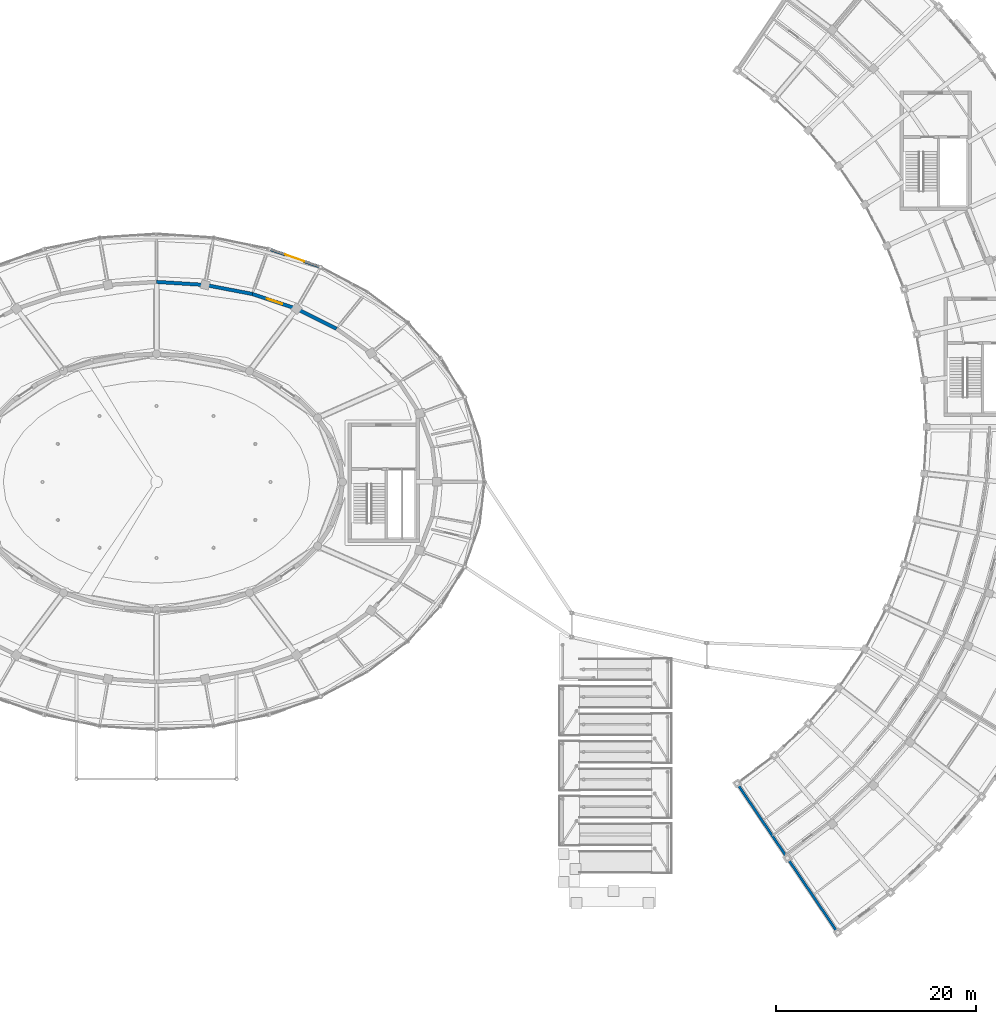
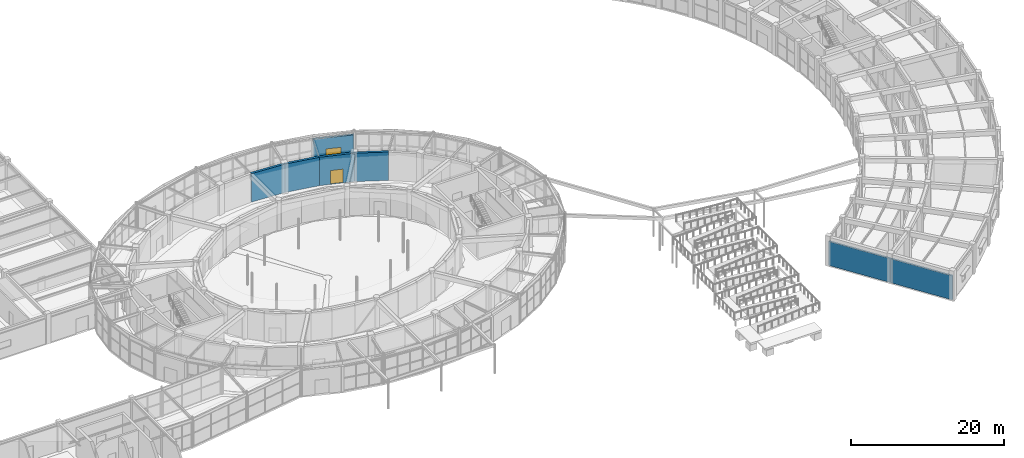
# One storey, part 92 of 108: 7 walls, 2 doors, 2 openings.
"""IFC4 building model written with IfcOpenShell, lengths in metres."""

from ifc_helpers import new_model, si_unit, direction, frame, frame_2d, origin, place, context, subcontext, project, spatial, rectangle, extrude, material, layer, layer_set, type_object, element, fill, save


model = new_model("IFC4")

# Units and contexts
model_context = context("Model", 3, precision=1e-05, world=origin(), true_north=direction((0.0, 1.0)))
body_context = subcontext(model_context, "Body", "Model", "MODEL_VIEW")
ifc_project = project(units=[si_unit("LENGTHUNIT", "METRE"), si_unit("AREAUNIT", "SQUARE_METRE"), si_unit("VOLUMEUNIT", "CUBIC_METRE"), si_unit("PLANEANGLEUNIT", "RADIAN"), si_unit("MASSUNIT", "GRAM", prefix="KILO")], contexts=[model_context])

# Site, building, storey
site_placement = place(None, origin())
site = spatial("IfcSite", under=ifc_project, at=site_placement, CompositionType="ELEMENT")
building_placement = place(site_placement, origin())
building = spatial("IfcBuilding", under=site, at=building_placement, Name="Tarnveldt Headland Concert Hall", CompositionType="ELEMENT")
storey_placement = place(building_placement, origin())
storey = spatial("IfcBuildingStorey", under=building, at=storey_placement, Name="L00", CompositionType="ELEMENT", Elevation=0.0)

# Wall
ifc_material_1 = material(Name="Concrete C40/50", Category="concrete")
ifc_layer_1 = layer(ifc_material_1, 0.35009765625, Name="Concrete C40/50", Category="concrete")
ifc_layer_set_1 = layer_set([ifc_layer_1], Name="Concrete C40/50")
wall_type_1 = type_object("IfcWallType", Name="WL-CR350", PredefinedType="SHEAR", material=ifc_layer_set_1)
wall_1_placement = place(storey_placement, frame((101.498046875, 69.82080078125, 0.0), z_axis=(0.0, 0.0, 1.0), x_axis=(-0.894361644392, 0.447344664705, 0.0)))
element("IfcWall", 1, at=wall_1_placement, inside=storey, type_object=wall_type_1, Name="Symphony drum shear wall L00-6", PredefinedType="SHEAR", context=body_context, shape_type="SweptSolid", body=[
    extrude(rectangle(XDim=4.47021484375, YDim=0.35009765625, at=frame_2d((2.235107421875, 0.0))), origin(), (0.0, 0.0, 1.0), 4.52001953125),
])

# Wall, opening, door
wall_2_placement = place(storey_placement, frame((97.5, 71.820556640625, 0.0), z_axis=(0.0, 0.0, 1.0), x_axis=(-0.948751350732, 0.316023534699, 0.0)))
wall_2 = element("IfcWall", 2, at=wall_2_placement, inside=storey, type_object=wall_type_1, Name="Symphony drum shear wall L00-7", PredefinedType="SHEAR", context=body_context, shape_type="SweptSolid", body=[
    extrude(rectangle(XDim=4.662353515625, YDim=0.35009765625, at=frame_2d((2.3310546875, 0.0))), origin(), (0.0, 0.0, 1.0), 4.52001953125),
])
opening_1_placement = place(wall_2_placement, frame((1.506103515625, 0.0, 0.0)))
opening_1 = element("IfcOpeningElement", 3, at=opening_1_placement, cuts=wall_2, Name="Opening AD-O006", PredefinedType="OPENING", context=body_context, shape_type="SweptSolid", body=[
    extrude(rectangle(XDim=1.64990234375, YDim=2.199951171875, at=frame_2d((0.824951171875, 1.10009765625))), frame((0.0, 0.18505859375, 0.0), z_axis=(0.0, -1.0, 0.0), x_axis=(1.0, 0.0, 0.0)), (0.0, 0.0, 1.0), 0.3701171875),
])
ifc_material_2 = material(Name="Treated East African mvule hardwood", Category="wood")
door_type_1 = type_object("IfcDoorType", Name="DR-AC165", OperationType="NOTDEFINED", PredefinedType="DOOR", material=ifc_material_2)
door_1_placement = place(opening_1_placement, origin())
door_1 = element("IfcDoor", 4, at=door_1_placement, inside=storey, type_object=door_type_1, Name="Drum concourse acoustic door L00-7", OperationType="SINGLE_SWING_RIGHT", OverallHeight=2.199951171875, OverallWidth=1.64990234375, PredefinedType="DOOR", context=body_context, shape_type="SweptSolid", body=[
    extrude(rectangle(XDim=1.64990234375, YDim=2.199951171875, at=frame_2d((0.824951171875, 1.10009765625))), frame((0.0, 0.02490234375, 0.0), z_axis=(0.0, -1.0, 0.0), x_axis=(1.0, 0.0, 0.0)), (0.0, 0.0, 1.0), 0.050048828125),
])
fill(opening_1, door_1)

# Walls
wall_3_placement = place(storey_placement, frame((93.07666015625, 73.2939453125, 0.0), z_axis=(0.0, 0.0, 1.0), x_axis=(-0.982172578083, 0.187981453503, 0.0)))
element("IfcWall", 5, at=wall_3_placement, inside=storey, type_object=wall_type_1, Name="Symphony drum shear wall L00-8", PredefinedType="SHEAR", context=body_context, shape_type="SweptSolid", body=[
    extrude(rectangle(XDim=4.80029296875, YDim=0.35009765625, at=frame_2d((2.400146484375, 0.0))), origin(), (0.0, 0.0, 1.0), 4.52001953125),
])
wall_4_placement = place(storey_placement, frame((88.362060546875, 74.1962890625, 0.0), z_axis=(0.0, 0.0, 1.0), x_axis=(-0.998054722924, 0.06234396562, 0.0)))
element("IfcWall", 6, at=wall_4_placement, inside=storey, type_object=wall_type_1, Name="Symphony drum shear wall L00-9", PredefinedType="SHEAR", context=body_context, shape_type="SweptSolid", body=[
    extrude(rectangle(XDim=4.87158203125, YDim=0.35009765625, at=frame_2d((2.435791015625, 0.0))), origin(), (0.0, 0.0, 1.0), 4.52001953125),
])
ifc_material_3 = material(Name="Coral-toned precast concrete C40/50", Category="concrete")
ifc_layer_2 = layer(ifc_material_3, 0.25, Name="Coral-toned precast concrete C40/50", Category="concrete")
ifc_layer_set_2 = layer_set([ifc_layer_2], Name="Coral-toned precast concrete C40/50")
wall_type_2 = type_object("IfcWallType", Name="WL-EX250", PredefinedType="SOLIDWALL", material=ifc_layer_set_2)
wall_5_placement = place(storey_placement, frame((146.56689453125, 16.906494140625, 0.0), z_axis=(0.0, 0.0, 1.0), x_axis=(-0.559200466777, 0.829032470991, 0.0)))
element("IfcWall", 7, at=wall_5_placement, inside=storey, type_object=wall_type_2, Name="External precast wall L00-107", PredefinedType="SOLIDWALL", context=body_context, shape_type="SweptSolid", body=[
    extrude(rectangle(XDim=8.960205078125, YDim=0.25, at=frame_2d((4.47998046875, 0.0))), origin(), (0.0, 0.0, 1.0), 3.827880859375),
])
wall_6_placement = place(storey_placement, frame((151.599609375, 9.4453125, 0.0), z_axis=(0.0, 0.0, 1.0), x_axis=(-0.559213098812, 0.829023950268, 0.0)))
element("IfcWall", 8, at=wall_6_placement, inside=storey, type_object=wall_type_2, Name="External precast wall L00-108", PredefinedType="SOLIDWALL", context=body_context, shape_type="SweptSolid", body=[
    extrude(rectangle(XDim=8.9599609375, YDim=0.25, at=frame_2d((4.47998046875, 0.0))), origin(), (0.0, 0.0, 1.0), 3.827880859375),
])

# Wall, opening, door
ifc_layer_3 = layer(ifc_material_3, 0.300048828125, Name="Coral-toned precast concrete C40/50", Category="concrete")
ifc_layer_set_3 = layer_set([ifc_layer_3], Name="Coral-toned precast concrete C40/50")
wall_type_3 = type_object("IfcWallType", Name="WL-EX300", PredefinedType="SOLIDWALL", material=ifc_layer_set_3)
wall_7_placement = place(storey_placement, frame((94.7373046875, 77.797607421875, 0.0), z_axis=(0.0, 0.0, 1.0), x_axis=(0.943104319689, -0.332496980713, 0.0)))
wall_7 = element("IfcWall", 9, at=wall_7_placement, inside=storey, type_object=wall_type_3, Name="External precast wall L00-38", PredefinedType="SOLIDWALL", context=body_context, shape_type="SweptSolid", body=[
    extrude(rectangle(XDim=5.4541015625, YDim=0.300048828125, at=frame_2d((2.72705078125, 0.0))), origin(), (0.0, 0.0, 1.0), 4.05810546875),
])
opening_2_placement = place(wall_7_placement, frame((1.72705078125, 0.0, 0.0)))
opening_2 = element("IfcOpeningElement", 10, at=opening_2_placement, cuts=wall_7, Name="Opening EX-02", PredefinedType="OPENING", context=body_context, shape_type="SweptSolid", body=[
    extrude(rectangle(XDim=2.0, YDim=2.300048828125, at=frame_2d((1.0, 1.14990234375))), frame((0.0, 0.159912109375, 0.0), z_axis=(0.0, -1.0, 0.0), x_axis=(1.0, 0.0, 0.0)), (0.0, 0.0, 1.0), 0.320068359375),
])
ifc_material_4 = material(Name="Marine-anodised aluminium EN AW-6063-T6", Category="aluminium")
door_type_2 = type_object("IfcDoorType", Name="DR-EX200", OperationType="NOTDEFINED", PredefinedType="DOOR", material=ifc_material_4)
door_2_placement = place(opening_2_placement, origin())
door_2 = element("IfcDoor", 11, at=door_2_placement, inside=storey, type_object=door_type_2, Name="Foyer final exit door EX-02", OperationType="DOUBLE_DOOR_SINGLE_SWING", OverallHeight=2.300048828125, OverallWidth=2.0, PredefinedType="DOOR", context=body_context, shape_type="SweptSolid", body=[
    extrude(rectangle(XDim=2.0, YDim=2.300048828125, at=frame_2d((1.0, 1.14990234375))), frame((0.0, 0.02490234375, 0.0), z_axis=(0.0, -1.0, 0.0), x_axis=(1.0, 0.0, 0.0)), (0.0, 0.0, 1.0), 0.050048828125),
])
fill(opening_2, door_2)

save(model, "model.ifc")
